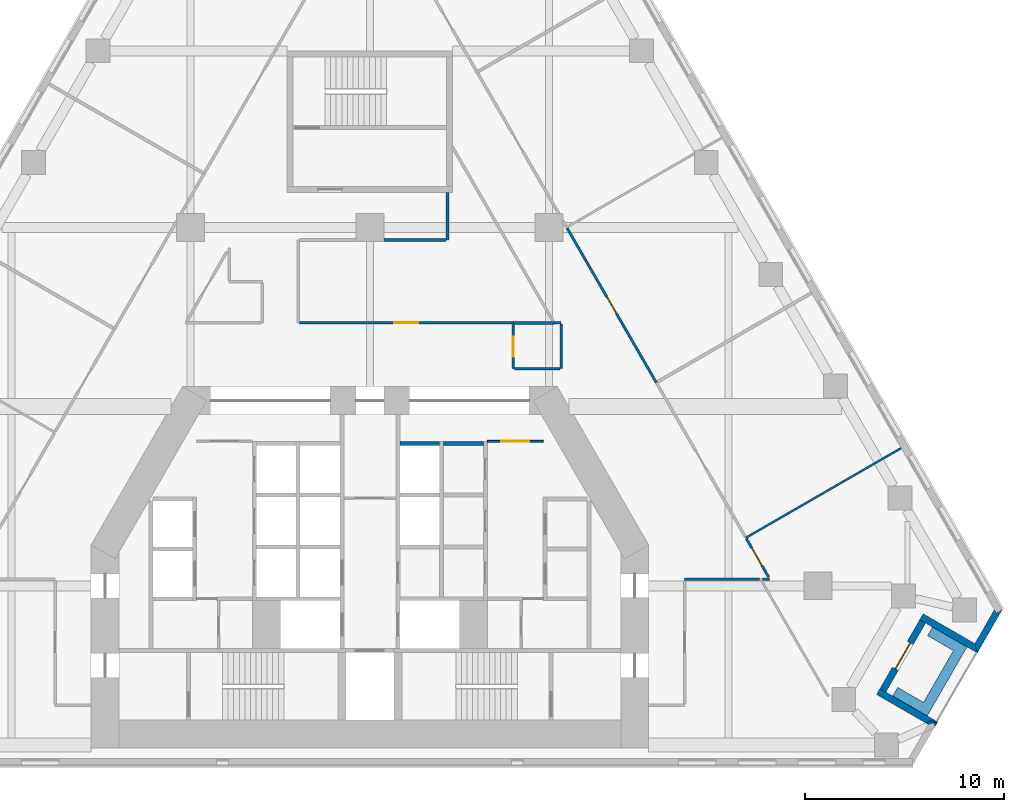
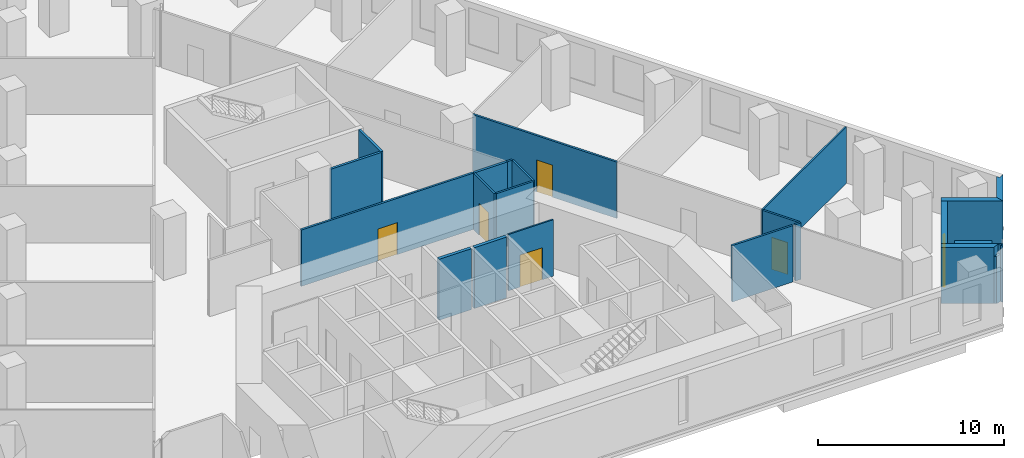
# One storey, part 7 of 11: 23 walls, 6 doors, 6 openings.
"""IFC4 building model written with IfcOpenShell, lengths in metres."""

from ifc_helpers import new_model, si_unit, direction, frame, frame_2d, origin, place, context, subcontext, project, spatial, polyline, rectangle, outline, extrude, material, layer, layer_set, type_object, element, fill, save


model = new_model("IFC4")

# Units and contexts
model_context = context("Model", 3, precision=1e-05, world=origin(), true_north=direction((0.0, 1.0)))
body_context = subcontext(model_context, "Body", "Model", "MODEL_VIEW")
ifc_project = project(units=[si_unit("LENGTHUNIT", "METRE"), si_unit("AREAUNIT", "SQUARE_METRE"), si_unit("VOLUMEUNIT", "CUBIC_METRE"), si_unit("PLANEANGLEUNIT", "RADIAN"), si_unit("MASSUNIT", "GRAM", prefix="KILO")], contexts=[model_context])

# Site, building, storey
site_placement = place(None, origin())
site = spatial("IfcSite", under=ifc_project, at=site_placement, CompositionType="ELEMENT")
building_placement = place(site_placement, origin())
building = spatial("IfcBuilding", under=site, at=building_placement, Name="Fogline Exchange Tower", CompositionType="ELEMENT")
storey_placement = place(building_placement, frame((0.0, 0.0, 52.89990234375)))
storey = spatial("IfcBuildingStorey", under=building, at=storey_placement, Name="L10", CompositionType="ELEMENT", Elevation=52.89990234375)

# Wall, opening, door
ifc_material_1 = material(Name="Blockwork partition", Category="masonry")
ifc_layer_1 = layer(ifc_material_1, 0.10009765625)
ifc_layer_set_1 = layer_set([ifc_layer_1], Name="CW10")
wall_type_1 = type_object("IfcWallType", Name="CW10", PredefinedType="PARTITIONING", material=ifc_layer_set_1)
wall_1_placement = place(storey_placement, frame((5.89990234375, 16.25, 0.0), z_axis=(0.0, 0.0, 1.0), x_axis=(1.0, 0.0, 0.0)))
wall_1 = element("IfcWall", 1, at=wall_1_placement, inside=storey, type_object=wall_type_1, Name="Lift lobby partition", PredefinedType="PARTITIONING", context=body_context, shape_type="SweptSolid", body=[
    extrude(rectangle(XDim=2.800048828125, YDim=0.10009765625, at=frame_2d((1.39990234375, 0.0))), origin(), (0.0, 0.0, 1.0), 3.7001953125),
])
opening_1_placement = place(wall_1_placement, frame((0.699951171875, 0.0, 0.0)))
opening_1 = element("IfcOpeningElement", 2, at=opening_1_placement, cuts=wall_1, Name="Opening T03-C013", PredefinedType="OPENING", context=body_context, shape_type="SweptSolid", body=[
    extrude(rectangle(XDim=1.39990234375, YDim=2.10009765625, at=frame_2d((0.699951171875, 1.050048828125))), frame((0.0, 0.06005859375, 0.0), z_axis=(0.0, -1.0, 0.0), x_axis=(1.0, 0.0, 0.0)), (0.0, 0.0, 1.0), 0.1201171875),
])
ifc_material_2 = material(Name="Steel and timber fire door", Category="steel")
door_type_1 = type_object("IfcDoorType", Name="D-LB1", OperationType="DOUBLE_DOOR_SINGLE_SWING", PredefinedType="DOOR", material=ifc_material_2)
door_1_placement = place(opening_1_placement, origin())
door_1 = element("IfcDoor", 3, at=door_1_placement, inside=storey, type_object=door_type_1, Name="Door to lift lobby", OperationType="DOUBLE_DOOR_SINGLE_SWING", OverallHeight=2.10009765625, OverallWidth=1.39990234375, PredefinedType="DOOR", context=body_context, shape_type="SweptSolid", body=[
    extrude(rectangle(XDim=1.39990234375, YDim=2.10009765625, at=frame_2d((0.699951171875, 1.050048828125))), frame((0.0, 0.02490234375, 0.0), z_axis=(0.0, -1.0, 0.0), x_axis=(1.0, 0.0, 0.0)), (0.0, 0.0, 1.0), 0.050048828125),
])
fill(opening_1, door_1)

# Walls
ifc_material_3 = material(Name="Concrete C40", Category="concrete")
ifc_layer_2 = layer(ifc_material_3, 0.199951171875)
ifc_layer_set_2 = layer_set([ifc_layer_2], Name="CW20S")
wall_type_2 = type_object("IfcWallType", Name="CW20S", PredefinedType="SOLIDWALL", material=ifc_layer_set_2)
for number, where, z_axis, x_axis, name in (
    (4, (3.699951171875, 16.14990234375, -0.2998046875), (0.0, 0.0, 1.0), (1.0, 0.0, 0.0), "Lift shaft wall"),
    (5, (1.5, 16.14990234375, -0.2998046875), (0.0, 0.0, 1.0), (1.0, 0.0, 0.0), "Lift shaft wall"),
):
    element("IfcWall", number, at=place(storey_placement, frame(where, z_axis=z_axis, x_axis=x_axis)), inside=storey, type_object=wall_type_2, Name=name, PredefinedType="SOLIDWALL", context=body_context, shape_type="SweptSolid", body=[
        extrude(rectangle(XDim=2.0, YDim=0.199951171875, at=frame_2d((1.0, 0.0))), origin(), (0.0, 0.0, 1.0), 4.0),
    ])
ifc_material_4 = material(Name="Brick masonry", Category="masonry")
ifc_layer_3 = layer(ifc_material_4, 0.340087890625)
ifc_layer_set_3 = layer_set([ifc_layer_3], Name="FW1")
wall_type_3 = type_object("IfcWallType", Name="FW1", PredefinedType="SOLIDWALL", material=ifc_layer_set_3)
wall_2_placement = place(storey_placement, origin())
element("IfcWall", 6, at=wall_2_placement, inside=storey, type_object=wall_type_3, Name="Brick wall L10 SE-c1", PredefinedType="SOLIDWALL", context=body_context, shape_type="SweptSolid", body=[
    extrude(outline(polyline([(28.388916015625, 1.962646484375), (28.319580078125, 2.115966796875), (28.506103515625, 2.166015625), (28.50634765625, 2.165771484375), (28.388916015625, 1.962646484375)])), origin(), (0.0, 0.0, 1.0), 3.7001953125),
])
wall_3_placement = place(storey_placement, origin())
element("IfcWall", 7, at=wall_3_placement, inside=storey, type_object=wall_type_3, Name="Brick wall L10 SE-s1", PredefinedType="SOLIDWALL", context=body_context, shape_type="SweptSolid", body=[
    extrude(outline(polyline([(28.040771484375, 2.0400390625), (27.91015625, 2.115478515625), (28.25, 2.269287109375), (28.320068359375, 2.11474609375), (28.040771484375, 2.0400390625)])), origin(), (0.0, 0.0, 1.0), 3.10009765625),
])
wall_4_placement = place(storey_placement, origin())
element("IfcWall", 8, at=wall_4_placement, inside=storey, type_object=wall_type_3, Name="Brick wall L10 SE-s1", PredefinedType="SOLIDWALL", context=body_context, shape_type="SweptSolid", body=[
    extrude(outline(polyline([(25.612548828125, 3.8359375), (25.907470703125, 3.66552734375), (28.50634765625, 2.1650390625), (28.50634765625, 2.164794921875), (28.320068359375, 2.11474609375), (28.25, 2.269287109375), (27.91015625, 2.115478515625), (25.44189453125, 3.540283203125), (25.612548828125, 3.8359375)])), origin(), (0.0, 0.0, 1.0), 3.7001953125),
])

# Wall, opening, door
wall_5_placement = place(storey_placement, frame((25.760009765625, 3.75, 0.0), z_axis=(0.0, 0.0, 1.0), x_axis=(0.49999894854, 0.866026010844, 0.0)))
wall_5 = element("IfcWall", 9, at=wall_5_placement, inside=storey, type_object=wall_type_3, Name="Brick wall L10 SE-bk", PredefinedType="SOLIDWALL", context=body_context, shape_type="SweptSolid", body=[
    extrude(rectangle(XDim=4.0, YDim=0.340087890625, at=frame_2d((2.0, 0.0))), origin(), (0.0, 0.0, 1.0), 3.7001953125),
])
opening_2_placement = place(wall_5_placement, frame((1.25, 0.0, 0.0)))
opening_2 = element("IfcOpeningElement", 10, at=opening_2_placement, cuts=wall_5, Name="Opening T03-E081", PredefinedType="OPENING", context=body_context, shape_type="SweptSolid", body=[
    extrude(rectangle(XDim=1.5, YDim=2.39990234375, at=frame_2d((0.75, 1.199951171875))), frame((0.0, 0.18017578125, 0.0), z_axis=(0.0, -1.0, 0.0), x_axis=(1.0, 0.0, 0.0)), (0.0, 0.0, 1.0), 0.360107421875),
])
ifc_material_5 = material(Name="Aluminium and glass", Category="aluminium")
door_type_2 = type_object("IfcDoorType", Name="ED4", OperationType="SINGLE_SWING_LEFT", PredefinedType="DOOR", material=ifc_material_5)
door_2_placement = place(opening_2_placement, frame((1.5, 0.0, 0.0), z_axis=(0.0, 0.0, 1.0), x_axis=(-1.0, 0.0, 0.0)))
door_2 = element("IfcDoor", 11, at=door_2_placement, inside=storey, type_object=door_type_2, Name="Balcony door L10 SE", OperationType="DOUBLE_DOOR_SINGLE_SWING", OverallHeight=2.39990234375, OverallWidth=1.5, PredefinedType="DOOR", context=body_context, shape_type="SweptSolid", body=[
    extrude(rectangle(XDim=1.5, YDim=2.39990234375, at=frame_2d((0.75, 1.199951171875))), frame((0.0, 0.02490234375, 0.0), z_axis=(0.0, -1.0, 0.0), x_axis=(1.0, 0.0, 0.0)), (0.0, 0.0, 1.0), 0.050048828125),
])
fill(opening_2, door_2)

# Walls
wall_6_placement = place(storey_placement, origin())
element("IfcWall", 12, at=wall_6_placement, inside=storey, type_object=wall_type_3, Name="Brick wall L10 SE-s2", PredefinedType="SOLIDWALL", context=body_context, shape_type="SweptSolid", body=[
    extrude(outline(polyline([(30.505859375, 5.628173828125), (27.90673828125, 7.128662109375), (27.61181640625, 7.298828125), (27.782470703125, 7.594482421875), (30.38134765625, 6.093994140625), (30.506103515625, 5.62841796875), (30.505859375, 5.628173828125)])), origin(), (0.0, 0.0, 1.0), 3.7001953125),
])
wall_7_placement = place(storey_placement, origin())
element("IfcWall", 13, at=wall_7_placement, inside=storey, type_object=wall_type_3, Name="Brick wall L10 SE-c2", PredefinedType="SOLIDWALL", context=body_context, shape_type="SweptSolid", body=[
    extrude(outline(polyline([(31.362548828125, 7.79541015625), (31.4609375, 7.625), (31.755859375, 7.79541015625), (31.75634765625, 7.794921875), (30.505126953125, 5.6279296875), (30.5048828125, 5.6279296875), (30.380126953125, 6.09375), (31.362548828125, 7.79541015625)])), origin(), (0.0, 0.0, 1.0), 3.7001953125),
])
ifc_material_6 = material(Name="Concrete C30", Category="concrete")
ifc_layer_4 = layer(ifc_material_6, 0.199951171875)
ifc_layer_set_4 = layer_set([ifc_layer_4], Name="PL1")
wall_type_4 = type_object("IfcWallType", Name="PL1", PredefinedType="USERDEFINED", material=ifc_layer_set_4)
wall_8_placement = place(storey_placement, origin())
element("IfcWall", 14, at=wall_8_placement, inside=storey, type_object=wall_type_4, Name="PLANTER balcony L10 SE", ObjectType="PLANTER", PredefinedType="USERDEFINED", context=body_context, shape_type="SweptSolid", body=[
    extrude(outline(polyline([(26.253662109375, 3.465087890625), (27.552490234375, 2.715087890625), (27.552490234375, 2.715087890625), (27.985595703125, 2.465087890625), (29.735595703125, 5.49609375), (29.985595703125, 5.92919921875), (28.253662109375, 6.92919921875), (28.003662109375, 6.49609375), (29.302490234375, 5.74609375), (27.802490234375, 3.148193359375), (26.503662109375, 3.898193359375), (26.253662109375, 3.465087890625)])), origin(), (0.0, 0.0, 1.0), 1.10009765625),
])
ifc_material_7 = material(Name="Plasterboard partition, 2 layers each side on steel studs", Category="steel")
ifc_layer_5 = layer(ifc_material_7, 0.10009765625)
ifc_layer_set_5 = layer_set([ifc_layer_5], Name="PW1")
wall_type_5 = type_object("IfcWallType", Name="PW1", PredefinedType="PARTITIONING", material=ifc_layer_set_5)
wall_9_placement = place(storey_placement, frame((18.881591796875, 11.412109375, 0.0), z_axis=(0.0, 0.0, 1.0), x_axis=(0.866024315419, 0.5000018851, 0.0)))
element("IfcWall", 15, at=wall_9_placement, inside=storey, type_object=wall_type_5, Name="wall-L10-W056", PredefinedType="PARTITIONING", context=body_context, shape_type="SweptSolid", body=[
    extrude(rectangle(XDim=9.0, YDim=0.10009765625, at=frame_2d((4.5, 0.0))), origin(), (0.0, 0.0, 1.0), 3.7001953125),
])

# Wall, opening, door
ifc_material_8 = material(Name="Plasterboard corridor partition with mineral wool, 2 layers each side")
ifc_layer_6 = layer(ifc_material_8, 0.125)
ifc_layer_set_6 = layer_set([ifc_layer_6], Name="PW2")
wall_type_6 = type_object("IfcWallType", Name="PW2", PredefinedType="PARTITIONING", material=ifc_layer_set_6)
wall_10_placement = place(storey_placement, frame((7.199951171875, 22.12451171875, 0.0), z_axis=(0.0, 0.0, 1.0), x_axis=(0.0, -1.0, 0.0)))
wall_10 = element("IfcWall", 16, at=wall_10_placement, inside=storey, type_object=wall_type_6, Name="wall-L10-W003", PredefinedType="PARTITIONING", context=body_context, shape_type="SweptSolid", body=[
    extrude(rectangle(XDim=2.224609375, YDim=0.125, at=frame_2d((1.1123046875, 0.0))), origin(), (0.0, 0.0, 1.0), 3.7001953125),
])
opening_3_placement = place(wall_10_placement, frame((0.6123046875, 0.0, 0.0)))
opening_3 = element("IfcOpeningElement", 17, at=opening_3_placement, cuts=wall_10, Name="Opening T03-D002", PredefinedType="OPENING", context=body_context, shape_type="SweptSolid", body=[
    extrude(rectangle(XDim=1.0, YDim=2.10009765625, at=frame_2d((0.5, 1.050048828125))), frame((0.0, 0.072509765625, 0.0), z_axis=(0.0, -1.0, 0.0), x_axis=(1.0, 0.0, 0.0)), (0.0, 0.0, 1.0), 0.14501953125),
])
ifc_material_9 = material(Name="Fire-rated timber door leaf with steel frame", Category="steel")
door_type_3 = type_object("IfcDoorType", Name="D3", OperationType="SINGLE_SWING_LEFT", PredefinedType="DOOR", material=ifc_material_9)
door_3_placement = place(opening_3_placement, origin())
door_3 = element("IfcDoor", 18, at=door_3_placement, inside=storey, type_object=door_type_3, Name="door-L10-D002", OperationType="SINGLE_SWING_RIGHT", OverallHeight=2.10009765625, OverallWidth=1.0, PredefinedType="DOOR", context=body_context, shape_type="SweptSolid", body=[
    extrude(rectangle(XDim=1.0, YDim=2.10009765625, at=frame_2d((0.5, 1.050048828125))), frame((0.0, 0.02490234375, 0.0), z_axis=(0.0, -1.0, 0.0), x_axis=(1.0, 0.0, 0.0)), (0.0, 0.0, 1.0), 0.050048828125),
])
fill(opening_3, door_3)

# Walls
wall_11_placement = place(storey_placement, frame((7.262451171875, 19.89990234375, 0.0), z_axis=(0.0, 0.0, 1.0), x_axis=(1.0, 0.0, 0.0)))
element("IfcWall", 19, at=wall_11_placement, inside=storey, type_object=wall_type_6, Name="wall-L10-W004", PredefinedType="PARTITIONING", context=body_context, shape_type="SweptSolid", body=[
    extrude(rectangle(XDim=2.275146484375, YDim=0.125, at=frame_2d((1.1376953125, 0.0))), origin(), (0.0, 0.0, 1.0), 3.7001953125),
])
wall_12_placement = place(storey_placement, frame((9.60009765625, 19.89990234375, 0.0), z_axis=(0.0, 0.0, 1.0), x_axis=(0.0, 1.0, 0.0)))
element("IfcWall", 20, at=wall_12_placement, inside=storey, type_object=wall_type_6, Name="wall-L10-W005", PredefinedType="PARTITIONING", context=body_context, shape_type="SweptSolid", body=[
    extrude(rectangle(XDim=2.237548828125, YDim=0.125, at=frame_2d((1.11865234375, 0.0))), origin(), (0.0, 0.0, 1.0), 3.7001953125),
])

# Wall, opening, door
wall_13_placement = place(storey_placement, frame((-3.53759765625, 22.199951171875, 0.0), z_axis=(0.0, 0.0, 1.0), x_axis=(1.0, 0.0, 0.0)))
wall_13 = element("IfcWall", 21, at=wall_13_placement, inside=storey, type_object=wall_type_6, Name="wall-L10-W006", PredefinedType="PARTITIONING", context=body_context, shape_type="SweptSolid", body=[
    extrude(rectangle(XDim=10.737548828125, YDim=0.125, at=frame_2d((5.36865234375, 0.0))), origin(), (0.0, 0.0, 1.0), 3.7001953125),
])
opening_4_placement = place(wall_13_placement, frame((4.768798828125, 0.0, 0.0)))
opening_4 = element("IfcOpeningElement", 22, at=opening_4_placement, cuts=wall_13, Name="Opening T03-D003", PredefinedType="OPENING", context=body_context, shape_type="SweptSolid", body=[
    extrude(rectangle(XDim=1.199951171875, YDim=2.10009765625, at=frame_2d((0.60009765625, 1.050048828125))), frame((0.0, 0.072509765625, 0.0), z_axis=(0.0, -1.0, 0.0), x_axis=(1.0, 0.0, 0.0)), (0.0, 0.0, 1.0), 0.14501953125),
])
ifc_material_10 = material(Name="Fire-rated glazed door leaf with steel frame", Category="steel")
door_type_4 = type_object("IfcDoorType", Name="D5", OperationType="SINGLE_SWING_LEFT", PredefinedType="DOOR", material=ifc_material_10)
door_4_placement = place(opening_4_placement, origin())
door_4 = element("IfcDoor", 23, at=door_4_placement, inside=storey, type_object=door_type_4, Name="door-L10-D003", OperationType="SINGLE_SWING_RIGHT", OverallHeight=2.10009765625, OverallWidth=1.199951171875, PredefinedType="DOOR", context=body_context, shape_type="SweptSolid", body=[
    extrude(rectangle(XDim=1.199951171875, YDim=2.10009765625, at=frame_2d((0.60009765625, 1.050048828125))), frame((0.0, 0.02490234375, 0.0), z_axis=(0.0, -1.0, 0.0), x_axis=(1.0, 0.0, 0.0)), (0.0, 0.0, 1.0), 0.050048828125),
])
fill(opening_4, door_4)

# Wall
wall_14_placement = place(storey_placement, frame((9.60009765625, 22.199951171875, 0.0), z_axis=(0.0, 0.0, 1.0), x_axis=(-1.0, 0.0, 0.0)))
element("IfcWall", 24, at=wall_14_placement, inside=storey, type_object=wall_type_6, Name="wall-L10-W010", PredefinedType="PARTITIONING", context=body_context, shape_type="SweptSolid", body=[
    extrude(rectangle(XDim=0.353271484375, YDim=0.125, at=frame_2d((0.1767578125, 0.0))), origin(), (0.0, 0.0, 1.0), 3.7001953125),
])

# Wall, opening, door
wall_15_placement = place(storey_placement, frame((9.90673828125, 26.956787109375, 0.0), z_axis=(0.0, 0.0, 1.0), x_axis=(0.500008968592, -0.866020225704, 0.0)))
wall_15 = element("IfcWall", 25, at=wall_15_placement, inside=storey, type_object=wall_type_6, Name="wall-L10-W011", PredefinedType="PARTITIONING", context=body_context, shape_type="SweptSolid", body=[
    extrude(rectangle(XDim=8.949462890625, YDim=0.125, at=frame_2d((4.474609375, 0.0))), origin(), (0.0, 0.0, 1.0), 3.7001953125),
])
opening_5_placement = place(wall_15_placement, frame((3.974609375, 0.0, 0.0)))
opening_5 = element("IfcOpeningElement", 26, at=opening_5_placement, cuts=wall_15, Name="Opening T03-D005", PredefinedType="OPENING", context=body_context, shape_type="SweptSolid", body=[
    extrude(rectangle(XDim=1.0, YDim=2.10009765625, at=frame_2d((0.5, 1.050048828125))), frame((0.0, 0.072509765625, 0.0), z_axis=(0.0, -1.0, 0.0), x_axis=(1.0, 0.0, 0.0)), (0.0, 0.0, 1.0), 0.14501953125),
])
door_5_placement = place(opening_5_placement, origin())
door_5 = element("IfcDoor", 27, at=door_5_placement, inside=storey, type_object=door_type_3, Name="door-L10-D005", OperationType="SINGLE_SWING_LEFT", OverallHeight=2.10009765625, OverallWidth=1.0, PredefinedType="DOOR", context=body_context, shape_type="SweptSolid", body=[
    extrude(rectangle(XDim=1.0, YDim=2.10009765625, at=frame_2d((0.5, 1.050048828125))), frame((0.0, 0.02490234375, 0.0), z_axis=(0.0, -1.0, 0.0), x_axis=(1.0, 0.0, 0.0)), (0.0, 0.0, 1.0), 0.050048828125),
])
fill(opening_5, door_5)

# Wall
wall_16_placement = place(storey_placement, frame((19.572265625, 9.340087890625, 0.0), z_axis=(0.0, 0.0, 1.0), x_axis=(-1.0, 0.0, 0.0)))
element("IfcWall", 28, at=wall_16_placement, inside=storey, type_object=wall_type_6, Name="wall-L10-W028", PredefinedType="PARTITIONING", context=body_context, shape_type="SweptSolid", body=[
    extrude(rectangle(XDim=3.772216796875, YDim=0.125, at=frame_2d((1.88623046875, 0.0))), origin(), (0.0, 0.0, 1.0), 3.7001953125),
])

# Wall, opening, door
wall_17_placement = place(storey_placement, frame((18.90673828125, 11.368408203125, 0.0), z_axis=(0.0, 0.0, 1.0), x_axis=(0.4999716195, -0.866041788654, 0.0)))
wall_17 = element("IfcWall", 29, at=wall_17_placement, inside=storey, type_object=wall_type_6, Name="wall-L10-W029", PredefinedType="PARTITIONING", context=body_context, shape_type="SweptSolid", body=[
    extrude(rectangle(XDim=2.233642578125, YDim=0.125, at=frame_2d((1.11669921875, 0.0))), origin(), (0.0, 0.0, 1.0), 3.7001953125),
])
opening_6_placement = place(wall_17_placement, frame((0.550048828125, 0.0, 0.0)))
opening_6 = element("IfcOpeningElement", 30, at=opening_6_placement, cuts=wall_17, Name="Opening T03-D016", PredefinedType="OPENING", context=body_context, shape_type="SweptSolid", body=[
    extrude(rectangle(XDim=1.0, YDim=2.10009765625, at=frame_2d((0.5, 1.050048828125))), frame((0.0, 0.072509765625, 0.0), z_axis=(0.0, -1.0, 0.0), x_axis=(1.0, 0.0, 0.0)), (0.0, 0.0, 1.0), 0.14501953125),
])
door_6_placement = place(opening_6_placement, origin())
door_6 = element("IfcDoor", 31, at=door_6_placement, inside=storey, type_object=door_type_3, Name="door-L10-D016", OperationType="SINGLE_SWING_LEFT", OverallHeight=2.10009765625, OverallWidth=1.0, PredefinedType="DOOR", context=body_context, shape_type="SweptSolid", body=[
    extrude(rectangle(XDim=1.0, YDim=2.10009765625, at=frame_2d((0.5, 1.050048828125))), frame((0.0, 0.02490234375, 0.0), z_axis=(0.0, -1.0, 0.0), x_axis=(1.0, 0.0, 0.0)), (0.0, 0.0, 1.0), 0.050048828125),
])
fill(opening_6, door_6)

# Walls
wall_18_placement = place(storey_placement, frame((20.077880859375, 9.340087890625, 0.0), z_axis=(0.0, 0.0, 1.0), x_axis=(-1.0, 0.0, 0.0)))
element("IfcWall", 32, at=wall_18_placement, inside=storey, type_object=wall_type_6, Name="wall-L10-W030", PredefinedType="PARTITIONING", context=body_context, shape_type="SweptSolid", body=[
    extrude(rectangle(XDim=0.36767578125, YDim=0.125, at=frame_2d((0.183837890625, 0.0))), origin(), (0.0, 0.0, 1.0), 3.7001953125),
])
ifc_material_11 = material(Name="Plasterboard demising partition with mineral wool and acoustic board")
ifc_layer_7 = layer(ifc_material_11, 0.14990234375)
ifc_layer_set_7 = layer_set([ifc_layer_7], Name="PW3")
wall_type_7 = type_object("IfcWallType", Name="PW3", PredefinedType="PARTITIONING", material=ifc_layer_set_7)
wall_19_placement = place(storey_placement, frame((7.199951171875, 22.199951171875, 0.0), z_axis=(0.0, 0.0, 1.0), x_axis=(1.0, 0.0, 0.0)))
element("IfcWall", 33, at=wall_19_placement, inside=storey, type_object=wall_type_7, Name="wall-L10-W039", PredefinedType="PARTITIONING", context=body_context, shape_type="SweptSolid", body=[
    extrude(rectangle(XDim=2.046875, YDim=0.14990234375, at=frame_2d((1.0234375, 0.0))), origin(), (0.0, 0.0, 1.0), 3.7001953125),
])
ifc_material_12 = material(Name="Plasterboard stair lobby partition, 3 layers each side on steel studs", Category="steel")
ifc_layer_8 = layer(ifc_material_12, 0.14990234375)
ifc_layer_set_8 = layer_set([ifc_layer_8], Name="PW4")
wall_type_8 = type_object("IfcWallType", Name="PW4", PredefinedType="PARTITIONING", material=ifc_layer_set_8)
wall_20_placement = place(storey_placement, frame((3.89990234375, 28.757080078125, 0.0), z_axis=(0.0, 0.0, 1.0), x_axis=(0.0, -1.0, 0.0)))
element("IfcWall", 34, at=wall_20_placement, inside=storey, type_object=wall_type_8, Name="wall-L10-W032", PredefinedType="PARTITIONING", context=body_context, shape_type="SweptSolid", body=[
    extrude(rectangle(XDim=2.400146484375, YDim=0.14990234375, at=frame_2d((1.2001953125, 0.0))), origin(), (0.0, 0.0, 1.0), 3.7001953125),
])
wall_21_placement = place(storey_placement, frame((3.824951171875, 26.35693359375, 0.0), z_axis=(0.0, 0.0, 1.0), x_axis=(-1.0, 0.0, 0.0)))
element("IfcWall", 35, at=wall_21_placement, inside=storey, type_object=wall_type_8, Name="wall-L10-W033", PredefinedType="PARTITIONING", context=body_context, shape_type="SweptSolid", body=[
    extrude(rectangle(XDim=3.125, YDim=0.14990234375, at=frame_2d((1.5625, 0.0))), origin(), (0.0, 0.0, 1.0), 3.7001953125),
])

save(model, "model.ifc")
